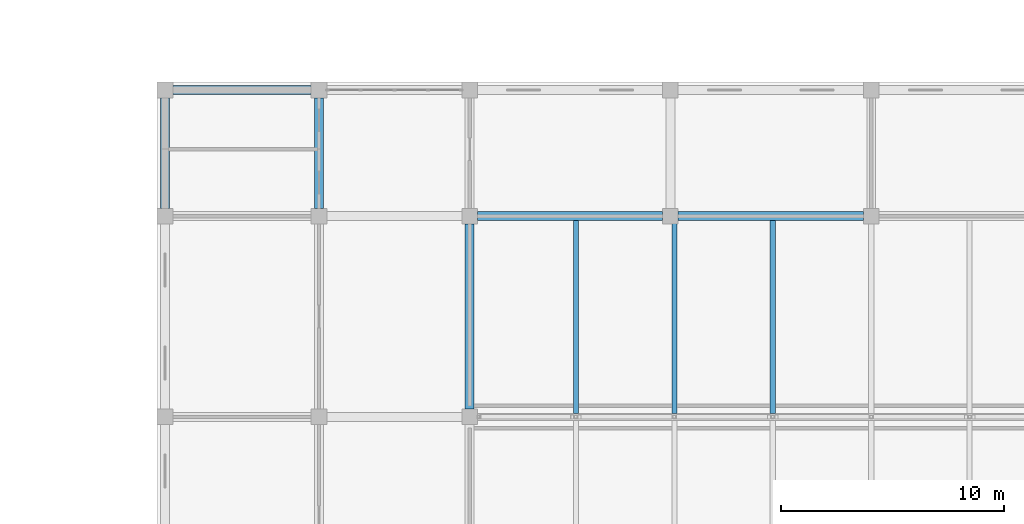
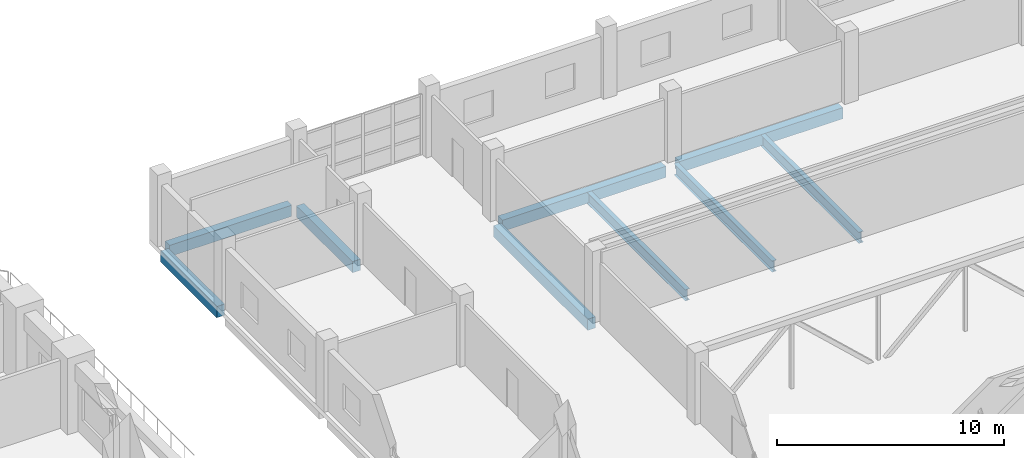
# One storey, part 15 of 42: 9 beams.
"""IFC4 building model written with IfcOpenShell, lengths in metres."""

from ifc_helpers import new_model, si_unit, direction, frame, origin, origin_2d, place, context, subcontext, project, spatial, rectangle, i_section, extrude, material, material_profile, profile_set, type_object, element, save


model = new_model("IFC4")

# Units and contexts
model_context = context("Model", 3, precision=1e-05, world=origin(), true_north=direction((0.0, 1.0)))
body_context = subcontext(model_context, "Body", "Model", "MODEL_VIEW")
ifc_project = project(units=[si_unit("LENGTHUNIT", "METRE"), si_unit("AREAUNIT", "SQUARE_METRE"), si_unit("VOLUMEUNIT", "CUBIC_METRE"), si_unit("PLANEANGLEUNIT", "RADIAN"), si_unit("MASSUNIT", "GRAM", prefix="KILO")], contexts=[model_context])

# Site, building, storey
site_placement = place(None, origin())
site = spatial("IfcSite", under=ifc_project, at=site_placement, CompositionType="ELEMENT")
building_placement = place(site_placement, origin())
building = spatial("IfcBuilding", under=site, at=building_placement, Name="Corbel Stack Research Tower", CompositionType="ELEMENT")
storey_placement = place(building_placement, frame((0.0, 0.0, 11.300048828125)))
storey = spatial("IfcBuildingStorey", under=building, at=storey_placement, Name="L02", CompositionType="ELEMENT", Elevation=11.300048828125)

# Beams
ifc_material_1 = material(Name="Concrete C40/50", Category="concrete")
ifc_material_profile_1 = material_profile(ifc_material_1, rectangle(XDim=0.39990234375, YDim=0.60009765625, at=origin_2d()), Name="RC 400 x 600")
ifc_profile_set_1 = profile_set([ifc_material_profile_1], Name="Concrete C40/50")
beam_type_1 = type_object("IfcBeamType", Name="HB1 RC beam 400 x 600", PredefinedType="BEAM", material=ifc_profile_set_1)
beam_1_placement = place(storey_placement, frame((37.300048828125, 18.35009765625, -0.550048828125), z_axis=(0.0, 1.0, 0.0), x_axis=(-1.0, 0.0, 0.0)))
element("IfcBeam", 1, at=beam_1_placement, inside=storey, type_object=beam_type_1, Name="Floor beam L02 H1HF-H1HG", PredefinedType="BEAM", context=body_context, shape_type="SweptSolid", body=[
    extrude(rectangle(XDim=0.39990234375, YDim=0.60009765625, at=origin_2d()), origin(), (0.0, 0.0, 1.0), 4.949951171875),
])
beam_2_placement = place(storey_placement, frame((37.64990234375, 23.64990234375, -0.550048828125), z_axis=(1.0, 0.0, 0.0), x_axis=(0.0, 1.0, 0.0)))
element("IfcBeam", 2, at=beam_2_placement, inside=storey, type_object=beam_type_1, Name="Floor beam L02 H1HG-H2HG", PredefinedType="BEAM", context=body_context, shape_type="SweptSolid", body=[
    extrude(rectangle(XDim=0.39990234375, YDim=0.60009765625, at=origin_2d()), origin(), (0.0, 0.0, 1.0), 6.2001953125),
])
beam_3_placement = place(storey_placement, frame((44.199951171875, 18.35009765625, -0.550048828125), z_axis=(0.0, 1.0, 0.0), x_axis=(-1.0, 0.0, 0.0)))
element("IfcBeam", 3, at=beam_3_placement, inside=storey, type_object=beam_type_1, Name="Floor beam L02 H2HF-H2HG", PredefinedType="BEAM", context=body_context, shape_type="SweptSolid", body=[
    extrude(rectangle(XDim=0.39990234375, YDim=0.60009765625, at=origin_2d()), origin(), (0.0, 0.0, 1.0), 4.949951171875),
])
beam_4_placement = place(storey_placement, frame((50.949951171875, 9.35009765625, -0.550048828125), z_axis=(0.0, 1.0, 0.0), x_axis=(-1.0, 0.0, 0.0)))
element("IfcBeam", 4, at=beam_4_placement, inside=storey, type_object=beam_type_1, Name="Floor beam L02 H3HE-H3HF", PredefinedType="BEAM", context=body_context, shape_type="SweptSolid", body=[
    extrude(rectangle(XDim=0.39990234375, YDim=0.60009765625, at=origin_2d()), origin(), (0.0, 0.0, 1.0), 8.2998046875),
])
for number, where, z_axis, x_axis, name in (
    (5, (51.300048828125, 18.0, -0.550048828125), (1.0, 0.0, 0.0), (0.0, 1.0, 0.0), "Floor beam L02 H3HF-H4HF"),
    (6, (60.300048828125, 18.0, -0.550048828125), (1.0, 0.0, 0.0), (0.0, 1.0, 0.0), "Floor beam L02 H4HF-H5HF"),
):
    element("IfcBeam", number, at=place(storey_placement, frame(where, z_axis=z_axis, x_axis=x_axis)), inside=storey, type_object=beam_type_1, Name=name, PredefinedType="BEAM", context=body_context, shape_type="SweptSolid", body=[
        extrude(rectangle(XDim=0.39990234375, YDim=0.60009765625, at=origin_2d()), origin(), (0.0, 0.0, 1.0), 8.300048828125),
    ])
ifc_material_2 = material(Name="Steel S355", Category="steel")
ifc_material_profile_2 = material_profile(ifc_material_2, i_section(OverallWidth=0.22802734375, OverallDepth=0.60302734375, WebThickness=0.010986328125, FlangeThickness=0.014892578125, at=origin_2d()), Name="W24x68")
ifc_profile_set_2 = profile_set([ifc_material_profile_2], Name="Steel S355")
beam_type_2 = type_object("IfcBeamType", Name="HB2 steel beam W24x68", PredefinedType="BEAM", material=ifc_profile_set_2)
for number, where, z_axis, x_axis, name in (
    (7, (55.71240234375, 9.152587890625, -0.551513671875), (0.0, 1.0, 0.0), (-1.0, 0.0, 0.0), "Steel floor beam L02 bay 4 line 1"),
    (8, (60.125, 9.152587890625, -0.551513671875), (0.0, 1.0, 0.0), (-1.0, 0.0, 0.0), "Steel floor beam L02 bay 4 line 2"),
    (9, (64.53759765625, 9.152587890625, -0.551513671875), (0.0, 1.0, 0.0), (-1.0, 0.0, 0.0), "Steel floor beam L02 bay 4 line 3"),
):
    element("IfcBeam", number, at=place(storey_placement, frame(where, z_axis=z_axis, x_axis=x_axis)), inside=storey, type_object=beam_type_2, Name=name, PredefinedType="BEAM", context=body_context, shape_type="SweptSolid", body=[
        extrude(i_section(OverallWidth=0.22802734375, OverallDepth=0.60302734375, WebThickness=0.010986328125, FlangeThickness=0.014892578125, at=origin_2d()), origin(), (0.0, 0.0, 1.0), 8.6474609375),
    ])

save(model, "model.ifc")
